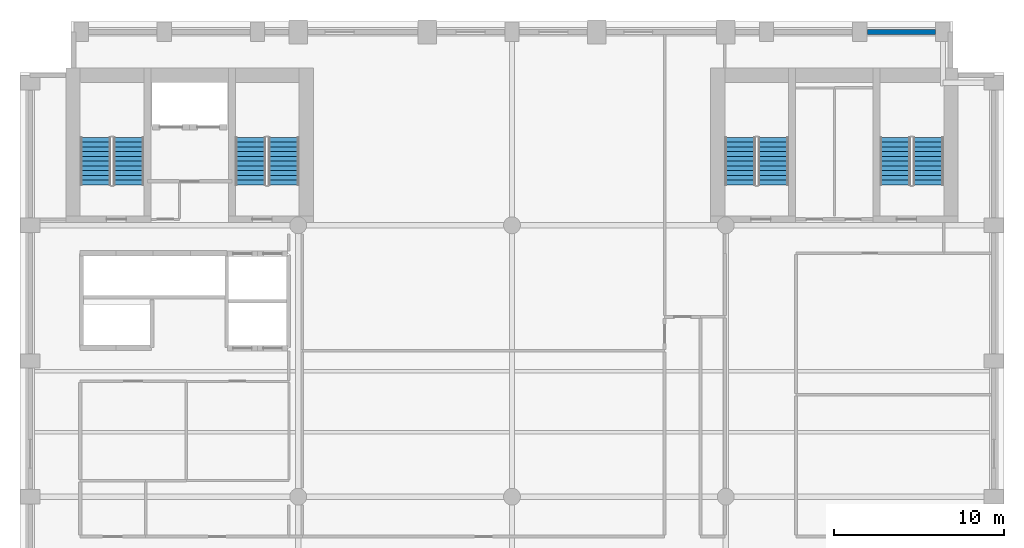
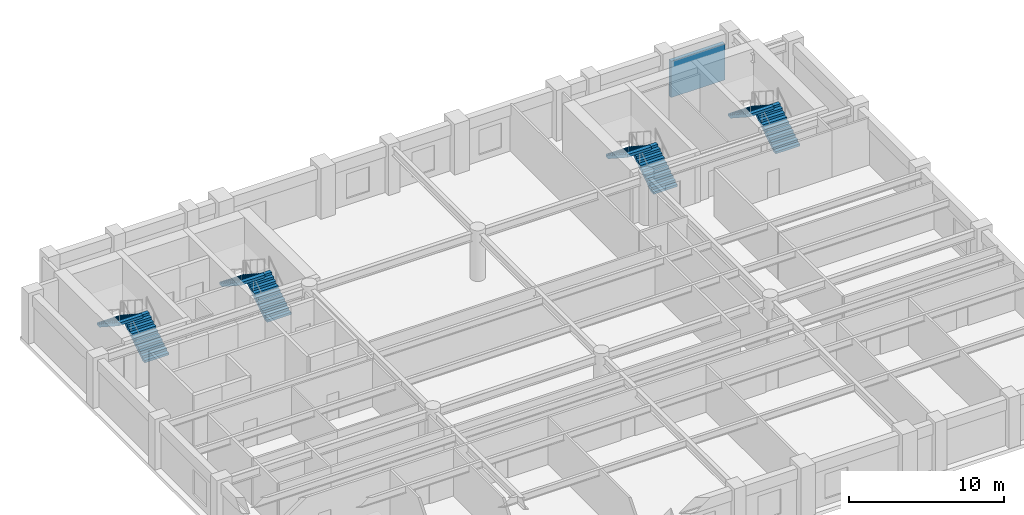
# One storey, part 6 of 9: 8 stair flights, 1 wall, 4 elements without a shape of their own.
"""IFC4 building model written with IfcOpenShell, lengths in metres."""

from ifc_helpers import new_model, si_unit, direction, frame, frame_2d, origin, place, context, subcontext, project, spatial, polyline, rectangle, outline, extrude, material, layer, layer_set, type_object, element, aggregate, save


model = new_model("IFC4")

# Units and contexts
model_context = context("Model", 3, precision=1e-05, world=origin(), true_north=direction((0.0, 1.0)))
body_context = subcontext(model_context, "Body", "Model", "MODEL_VIEW")
ifc_project = project(units=[si_unit("LENGTHUNIT", "METRE"), si_unit("AREAUNIT", "SQUARE_METRE"), si_unit("VOLUMEUNIT", "CUBIC_METRE"), si_unit("PLANEANGLEUNIT", "RADIAN"), si_unit("MASSUNIT", "GRAM", prefix="KILO")], contexts=[model_context])

# Site, building, storey
site_placement = place(None, origin())
site = spatial("IfcSite", under=ifc_project, at=site_placement, CompositionType="ELEMENT")
building_placement = place(site_placement, origin())
building = spatial("IfcBuilding", under=site, at=building_placement, Name="Sulina Concourse Tower", CompositionType="ELEMENT")
storey_placement = place(building_placement, frame((0.0, 0.0, 120.60009765625)))
storey = spatial("IfcBuildingStorey", under=building, at=storey_placement, Name="L29", CompositionType="ELEMENT", Elevation=120.60009765625)

# Wall
ifc_material_1 = material(Name="Precast concrete C50/60", Category="concrete")
ifc_layer = layer(ifc_material_1, 0.280029296875)
ifc_layer_set = layer_set([ifc_layer], Name="Precast concrete C50/60")
wall_type = type_object("IfcWallType", Name="Typical Precast Masonry-Frame Facade Wall 280mm", PredefinedType="SOLIDWALL", material=ifc_layer_set)
wall_placement = place(storey_placement, frame((49.945068359375, 45.39990234375, 0.0), z_axis=(0.0, 0.0, 1.0), x_axis=(1.0, 0.0, 0.0)))
element("IfcWall", 1, at=wall_placement, inside=storey, type_object=wall_type, Name="L29 exterior precast wall N10", PredefinedType="SOLIDWALL", context=body_context, shape_type="SweptSolid", body=[
    extrude(rectangle(XDim=4.010009765625, YDim=0.280029296875, at=frame_2d((2.0048828125, 0.0))), origin(), (0.0, 0.0, 1.0), 2.875),
])

# Stair, stair flights
ifc_material_2 = material(Name="Concrete C50/60", Category="concrete")
stair_type_1 = type_object("IfcStairType", Name="Portal & Podium Core Exit Stair 1820mm", PredefinedType="HALF_TURN_STAIR", material=ifc_material_2)
stair_1_placement = place(storey_placement, origin())
stair_1 = element("IfcStair", 2, at=stair_1_placement, inside=storey, type_object=stair_type_1, Name="L29 ST-3", PredefinedType="HALF_TURN_STAIR")
ifc_material_3 = material(Name="Concrete C50/60", Category="concrete")
stair_flight_type_1 = type_object("IfcStairFlightType", Name="Portal & Podium Core Exit Stair 1820mm Flight", PredefinedType="STRAIGHT", material=ifc_material_3)
stair_flight_1_placement = place(storey_placement, frame((44.405029296875, 36.375, 0.0), z_axis=(0.0, 0.0, 1.0), x_axis=(0.0, 1.0, 0.0)))
stair_flight_1 = element("IfcStairFlight", 3, at=stair_flight_1_placement, type_object=stair_flight_type_1, Name="ST-3 flight 1", NumberOfRisers=11, NumberOfTreads=10, PredefinedType="STRAIGHT", RiserHeight=0.181818182, TreadLength=0.28, context=body_context, shape_type="SweptSolid", body=[
    extrude(outline(polyline([(0.0, 0.0), (0.0, 0.181884765625), (0.280029296875, 0.181884765625), (0.280029296875, 0.363525390625), (0.56005859375, 0.363525390625), (0.56005859375, 0.54541015625), (0.840087890625, 0.54541015625), (0.840087890625, 0.727294921875), (1.1201171875, 0.727294921875), (1.1201171875, 0.9091796875), (1.39990234375, 0.9091796875), (1.39990234375, 1.0908203125), (1.679931640625, 1.0908203125), (1.679931640625, 1.272705078125), (1.9599609375, 1.272705078125), (1.9599609375, 1.45458984375), (2.239990234375, 1.45458984375), (2.239990234375, 1.636474609375), (2.52001953125, 1.636474609375), (2.52001953125, 1.818115234375), (2.800048828125, 1.818115234375), (2.800048828125, 2.0), (2.800048828125, 1.603759765625), (0.330322265625, 0.0), (0.0, 0.0)])), frame((0.0, 0.89990234375, 0.0), z_axis=(0.0, -1.0, 0.0), x_axis=(1.0, 0.0, 0.0)), (0.0, 0.0, 1.0), 1.800048828125),
])
stair_flight_2_placement = place(storey_placement, frame((42.455078125, 39.175048828125, 2.0), z_axis=(0.0, 0.0, 1.0), x_axis=(0.0, -1.0, 0.0)))
stair_flight_2 = element("IfcStairFlight", 4, at=stair_flight_2_placement, type_object=stair_flight_type_1, Name="ST-3 flight 2", NumberOfRisers=11, NumberOfTreads=10, PredefinedType="STRAIGHT", RiserHeight=0.181818182, TreadLength=0.28, context=body_context, shape_type="SweptSolid", body=[
    extrude(outline(polyline([(0.0, 0.0), (0.0, 0.181884765625), (0.280029296875, 0.181884765625), (0.280029296875, 0.363525390625), (0.56005859375, 0.363525390625), (0.56005859375, 0.54541015625), (0.840087890625, 0.54541015625), (0.840087890625, 0.727294921875), (1.1201171875, 0.727294921875), (1.1201171875, 0.9091796875), (1.39990234375, 0.9091796875), (1.39990234375, 1.0908203125), (1.679931640625, 1.0908203125), (1.679931640625, 1.272705078125), (1.9599609375, 1.272705078125), (1.9599609375, 1.45458984375), (2.239990234375, 1.45458984375), (2.239990234375, 1.636474609375), (2.52001953125, 1.636474609375), (2.52001953125, 1.818115234375), (2.800048828125, 1.818115234375), (2.800048828125, 2.0), (2.800048828125, 1.603759765625), (0.330322265625, 0.0), (0.0, 0.0)])), frame((0.0, 0.89990234375, 0.0), z_axis=(0.0, -1.0, 0.0), x_axis=(1.0, 0.0, 0.0)), (0.0, 0.0, 1.0), 1.800048828125),
])
aggregate(stair_1, [stair_flight_1, stair_flight_2])

stair_2_placement = place(storey_placement, origin())
stair_2 = element("IfcStair", 5, at=stair_2_placement, inside=storey, type_object=stair_type_1, Name="L29 ST-4", PredefinedType="HALF_TURN_STAIR")
stair_flight_3_placement = place(storey_placement, frame((53.544921875, 36.375, 0.0), z_axis=(0.0, 0.0, 1.0), x_axis=(0.0, 1.0, 0.0)))
stair_flight_3 = element("IfcStairFlight", 6, at=stair_flight_3_placement, type_object=stair_flight_type_1, Name="ST-4 flight 1", NumberOfRisers=11, NumberOfTreads=10, PredefinedType="STRAIGHT", RiserHeight=0.181818182, TreadLength=0.28, context=body_context, shape_type="SweptSolid", body=[
    extrude(outline(polyline([(0.0, 0.0), (0.0, 0.181884765625), (0.280029296875, 0.181884765625), (0.280029296875, 0.363525390625), (0.56005859375, 0.363525390625), (0.56005859375, 0.54541015625), (0.840087890625, 0.54541015625), (0.840087890625, 0.727294921875), (1.1201171875, 0.727294921875), (1.1201171875, 0.9091796875), (1.39990234375, 0.9091796875), (1.39990234375, 1.0908203125), (1.679931640625, 1.0908203125), (1.679931640625, 1.272705078125), (1.9599609375, 1.272705078125), (1.9599609375, 1.45458984375), (2.239990234375, 1.45458984375), (2.239990234375, 1.636474609375), (2.52001953125, 1.636474609375), (2.52001953125, 1.818115234375), (2.800048828125, 1.818115234375), (2.800048828125, 2.0), (2.800048828125, 1.603759765625), (0.330322265625, 0.0), (0.0, 0.0)])), frame((0.0, 0.89990234375, 0.0), z_axis=(0.0, -1.0, 0.0), x_axis=(1.0, 0.0, 0.0)), (0.0, 0.0, 1.0), 1.800048828125),
])
stair_flight_4_placement = place(storey_placement, frame((51.594970703125, 39.175048828125, 2.0), z_axis=(0.0, 0.0, 1.0), x_axis=(0.0, -1.0, 0.0)))
stair_flight_4 = element("IfcStairFlight", 7, at=stair_flight_4_placement, type_object=stair_flight_type_1, Name="ST-4 flight 2", NumberOfRisers=11, NumberOfTreads=10, PredefinedType="STRAIGHT", RiserHeight=0.181818182, TreadLength=0.28, context=body_context, shape_type="SweptSolid", body=[
    extrude(outline(polyline([(0.0, 0.0), (0.0, 0.181884765625), (0.280029296875, 0.181884765625), (0.280029296875, 0.363525390625), (0.56005859375, 0.363525390625), (0.56005859375, 0.54541015625), (0.840087890625, 0.54541015625), (0.840087890625, 0.727294921875), (1.1201171875, 0.727294921875), (1.1201171875, 0.9091796875), (1.39990234375, 0.9091796875), (1.39990234375, 1.0908203125), (1.679931640625, 1.0908203125), (1.679931640625, 1.272705078125), (1.9599609375, 1.272705078125), (1.9599609375, 1.45458984375), (2.239990234375, 1.45458984375), (2.239990234375, 1.636474609375), (2.52001953125, 1.636474609375), (2.52001953125, 1.818115234375), (2.800048828125, 1.818115234375), (2.800048828125, 2.0), (2.800048828125, 1.603759765625), (0.330322265625, 0.0), (0.0, 0.0)])), frame((0.0, 0.89990234375, 0.0), z_axis=(0.0, -1.0, 0.0), x_axis=(1.0, 0.0, 0.0)), (0.0, 0.0, 1.0), 1.800048828125),
])
aggregate(stair_2, [stair_flight_3, stair_flight_4])

ifc_material_4 = material(Name="Concrete C50/60", Category="concrete")
stair_type_2 = type_object("IfcStairType", Name="Primary Core Dog-Leg Exit Stair 1800mm", PredefinedType="HALF_TURN_STAIR", material=ifc_material_4)
stair_3_placement = place(storey_placement, origin())
stair_3 = element("IfcStair", 8, at=stair_3_placement, inside=storey, type_object=stair_type_2, Name="L29 ST-1", PredefinedType="HALF_TURN_STAIR")
ifc_material_5 = material(Name="Concrete C50/60", Category="concrete")
stair_flight_type_2 = type_object("IfcStairFlightType", Name="Primary Core Dog-Leg Exit Stair 1800mm Flight", PredefinedType="STRAIGHT", material=ifc_material_5)
stair_flight_5_placement = place(storey_placement, frame((6.405029296875, 36.375, 0.0), z_axis=(0.0, 0.0, 1.0), x_axis=(0.0, 1.0, 0.0)))
stair_flight_5 = element("IfcStairFlight", 9, at=stair_flight_5_placement, type_object=stair_flight_type_2, Name="ST-1 flight 1", NumberOfRisers=11, NumberOfTreads=10, PredefinedType="STRAIGHT", RiserHeight=0.181818182, TreadLength=0.28, context=body_context, shape_type="SweptSolid", body=[
    extrude(outline(polyline([(0.0, 0.0), (0.0, 0.181884765625), (0.280029296875, 0.181884765625), (0.280029296875, 0.363525390625), (0.56005859375, 0.363525390625), (0.56005859375, 0.54541015625), (0.840087890625, 0.54541015625), (0.840087890625, 0.727294921875), (1.1201171875, 0.727294921875), (1.1201171875, 0.9091796875), (1.39990234375, 0.9091796875), (1.39990234375, 1.0908203125), (1.679931640625, 1.0908203125), (1.679931640625, 1.272705078125), (1.9599609375, 1.272705078125), (1.9599609375, 1.45458984375), (2.239990234375, 1.45458984375), (2.239990234375, 1.636474609375), (2.52001953125, 1.636474609375), (2.52001953125, 1.818115234375), (2.800048828125, 1.818115234375), (2.800048828125, 2.0), (2.800048828125, 1.603759765625), (0.330322265625, 0.0), (0.0, 0.0)])), frame((0.0, 0.89990234375, 0.0), z_axis=(0.0, -1.0, 0.0), x_axis=(1.0, 0.0, 0.0)), (0.0, 0.0, 1.0), 1.800048828125),
])
stair_flight_6_placement = place(storey_placement, frame((4.455078125, 39.175048828125, 2.0), z_axis=(0.0, 0.0, 1.0), x_axis=(0.0, -1.0, 0.0)))
stair_flight_6 = element("IfcStairFlight", 10, at=stair_flight_6_placement, type_object=stair_flight_type_2, Name="ST-1 flight 2", NumberOfRisers=11, NumberOfTreads=10, PredefinedType="STRAIGHT", RiserHeight=0.181818182, TreadLength=0.28, context=body_context, shape_type="SweptSolid", body=[
    extrude(outline(polyline([(0.0, 0.0), (0.0, 0.181884765625), (0.280029296875, 0.181884765625), (0.280029296875, 0.363525390625), (0.56005859375, 0.363525390625), (0.56005859375, 0.54541015625), (0.840087890625, 0.54541015625), (0.840087890625, 0.727294921875), (1.1201171875, 0.727294921875), (1.1201171875, 0.9091796875), (1.39990234375, 0.9091796875), (1.39990234375, 1.0908203125), (1.679931640625, 1.0908203125), (1.679931640625, 1.272705078125), (1.9599609375, 1.272705078125), (1.9599609375, 1.45458984375), (2.239990234375, 1.45458984375), (2.239990234375, 1.636474609375), (2.52001953125, 1.636474609375), (2.52001953125, 1.818115234375), (2.800048828125, 1.818115234375), (2.800048828125, 2.0), (2.800048828125, 1.603759765625), (0.330322265625, 0.0), (0.0, 0.0)])), frame((0.0, 0.89990234375, 0.0), z_axis=(0.0, -1.0, 0.0), x_axis=(1.0, 0.0, 0.0)), (0.0, 0.0, 1.0), 1.800048828125),
])
aggregate(stair_3, [stair_flight_5, stair_flight_6])

stair_4_placement = place(storey_placement, origin())
stair_4 = element("IfcStair", 11, at=stair_4_placement, inside=storey, type_object=stair_type_2, Name="L29 ST-2", PredefinedType="HALF_TURN_STAIR")
stair_flight_7_placement = place(storey_placement, frame((15.544921875, 36.375, 0.0), z_axis=(0.0, 0.0, 1.0), x_axis=(0.0, 1.0, 0.0)))
stair_flight_7 = element("IfcStairFlight", 12, at=stair_flight_7_placement, type_object=stair_flight_type_2, Name="ST-2 flight 1", NumberOfRisers=11, NumberOfTreads=10, PredefinedType="STRAIGHT", RiserHeight=0.181818182, TreadLength=0.28, context=body_context, shape_type="SweptSolid", body=[
    extrude(outline(polyline([(0.0, 0.0), (0.0, 0.181884765625), (0.280029296875, 0.181884765625), (0.280029296875, 0.363525390625), (0.56005859375, 0.363525390625), (0.56005859375, 0.54541015625), (0.840087890625, 0.54541015625), (0.840087890625, 0.727294921875), (1.1201171875, 0.727294921875), (1.1201171875, 0.9091796875), (1.39990234375, 0.9091796875), (1.39990234375, 1.0908203125), (1.679931640625, 1.0908203125), (1.679931640625, 1.272705078125), (1.9599609375, 1.272705078125), (1.9599609375, 1.45458984375), (2.239990234375, 1.45458984375), (2.239990234375, 1.636474609375), (2.52001953125, 1.636474609375), (2.52001953125, 1.818115234375), (2.800048828125, 1.818115234375), (2.800048828125, 2.0), (2.800048828125, 1.603759765625), (0.330322265625, 0.0), (0.0, 0.0)])), frame((0.0, 0.89990234375, 0.0), z_axis=(0.0, -1.0, 0.0), x_axis=(1.0, 0.0, 0.0)), (0.0, 0.0, 1.0), 1.800048828125),
])
stair_flight_8_placement = place(storey_placement, frame((13.594970703125, 39.175048828125, 2.0), z_axis=(0.0, 0.0, 1.0), x_axis=(0.0, -1.0, 0.0)))
stair_flight_8 = element("IfcStairFlight", 13, at=stair_flight_8_placement, type_object=stair_flight_type_2, Name="ST-2 flight 2", NumberOfRisers=11, NumberOfTreads=10, PredefinedType="STRAIGHT", RiserHeight=0.181818182, TreadLength=0.28, context=body_context, shape_type="SweptSolid", body=[
    extrude(outline(polyline([(0.0, 0.0), (0.0, 0.181884765625), (0.280029296875, 0.181884765625), (0.280029296875, 0.363525390625), (0.56005859375, 0.363525390625), (0.56005859375, 0.54541015625), (0.840087890625, 0.54541015625), (0.840087890625, 0.727294921875), (1.1201171875, 0.727294921875), (1.1201171875, 0.9091796875), (1.39990234375, 0.9091796875), (1.39990234375, 1.0908203125), (1.679931640625, 1.0908203125), (1.679931640625, 1.272705078125), (1.9599609375, 1.272705078125), (1.9599609375, 1.45458984375), (2.239990234375, 1.45458984375), (2.239990234375, 1.636474609375), (2.52001953125, 1.636474609375), (2.52001953125, 1.818115234375), (2.800048828125, 1.818115234375), (2.800048828125, 2.0), (2.800048828125, 1.603759765625), (0.330322265625, 0.0), (0.0, 0.0)])), frame((0.0, 0.89990234375, 0.0), z_axis=(0.0, -1.0, 0.0), x_axis=(1.0, 0.0, 0.0)), (0.0, 0.0, 1.0), 1.800048828125),
])
aggregate(stair_4, [stair_flight_7, stair_flight_8])

save(model, "model.ifc")
